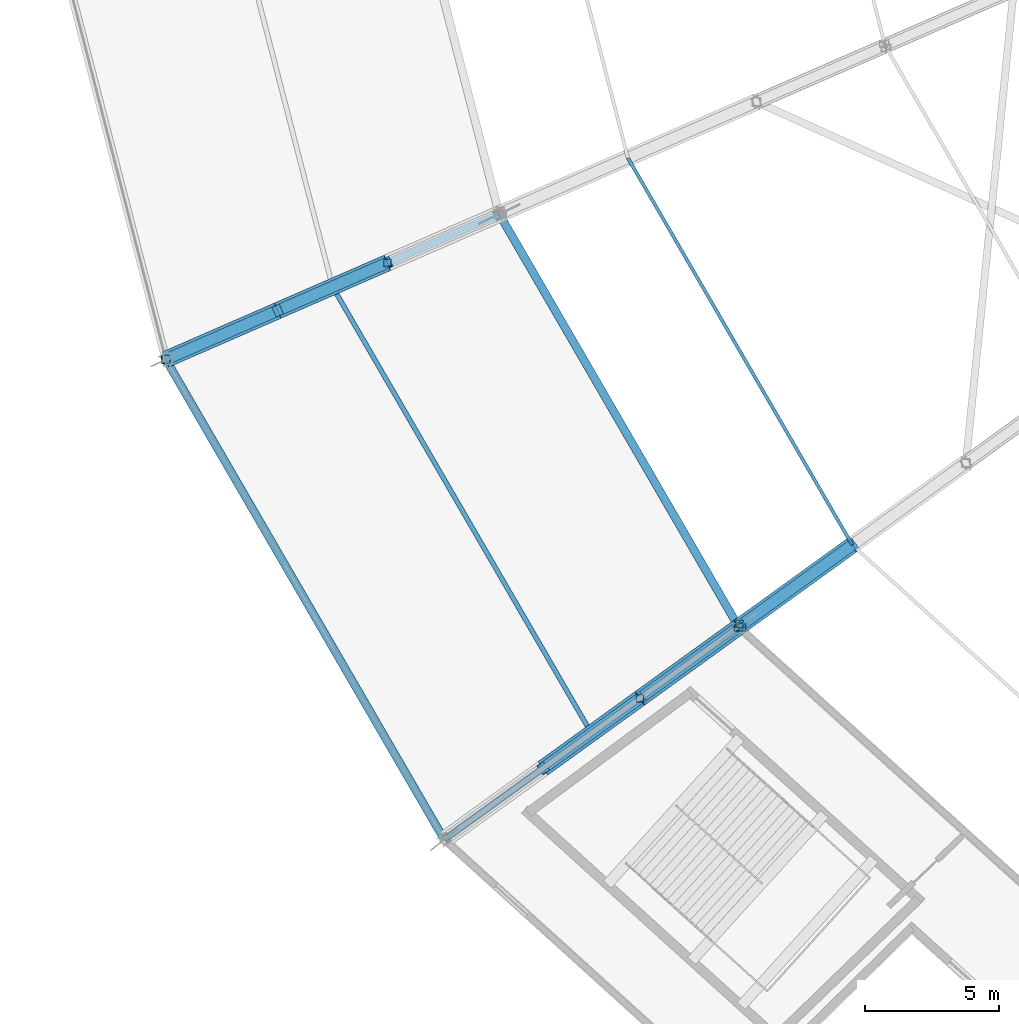
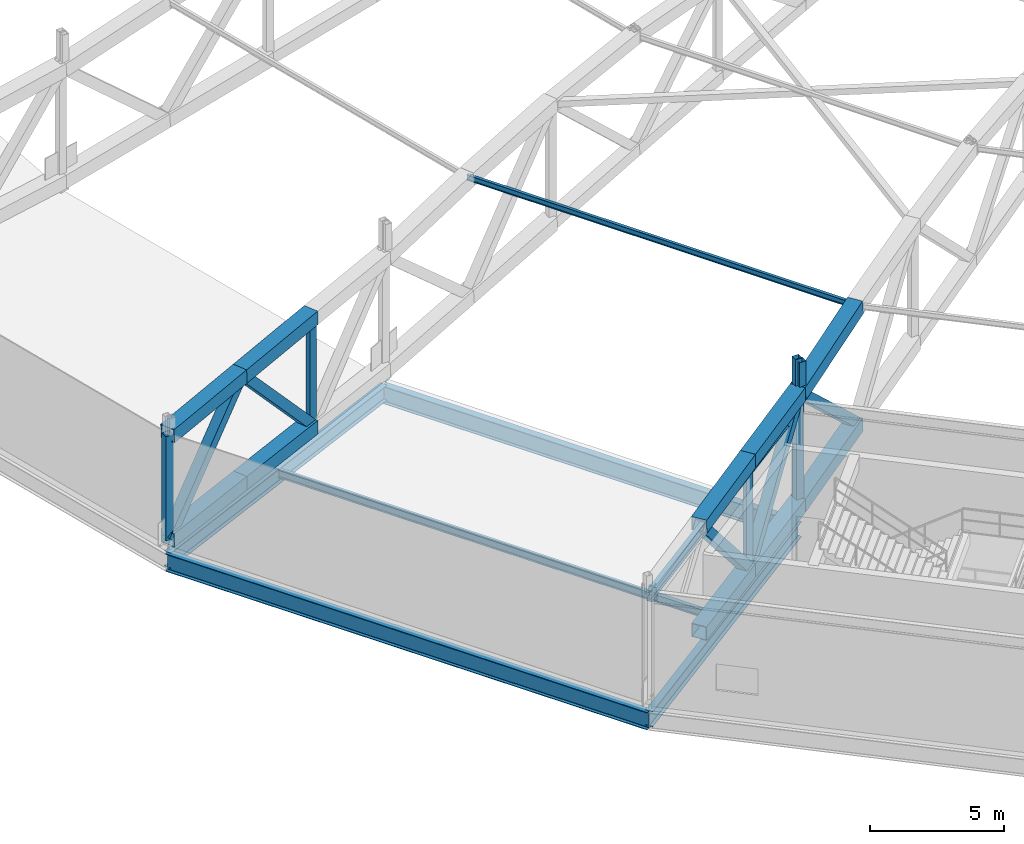
# One storey, part 19 of 162: 22 members, 6 beams.
"""IFC4 building model written with IfcOpenShell, lengths in metres."""

from ifc_helpers import new_model, si_unit, direction, frame, origin, origin_2d, place, context, subcontext, project, spatial, hollow_rectangle, i_section, extrude, material, material_profile, profile_set, type_object, element, save


model = new_model("IFC4")

# Units and contexts
model_context = context("Model", 3, precision=1e-05, world=origin(), true_north=direction((0.0, 1.0)))
body_context = subcontext(model_context, "Body", "Model", "MODEL_VIEW")
ifc_project = project(units=[si_unit("LENGTHUNIT", "METRE"), si_unit("AREAUNIT", "SQUARE_METRE"), si_unit("VOLUMEUNIT", "CUBIC_METRE"), si_unit("PLANEANGLEUNIT", "RADIAN"), si_unit("MASSUNIT", "GRAM", prefix="KILO")], contexts=[model_context])

# Site, building, storey
site_placement = place(None, origin())
site = spatial("IfcSite", under=ifc_project, at=site_placement, CompositionType="ELEMENT")
building_placement = place(site_placement, origin())
building = spatial("IfcBuilding", under=site, at=building_placement, Name="Kazemori Nagisa Stadium", CompositionType="ELEMENT")
storey_placement = place(building_placement, frame((0.0, 0.0, 36.719970703125)))
storey = spatial("IfcBuildingStorey", under=building, at=storey_placement, Name="RF", CompositionType="ELEMENT", Elevation=36.719970703125)

# Beams
ifc_material_1 = material(Name="Steel SN490B", Category="steel")
ifc_material_profile_1 = material_profile(ifc_material_1, i_section(OverallWidth=0.199951171875, OverallDepth=0.5, WebThickness=0.010009765625, FlangeThickness=0.01611328125, FilletRadius=0.012939453125, at=origin_2d()), Name="H-500x200x10x16")
ifc_profile_set_1 = profile_set([ifc_material_profile_1], Name="Steel SN490B")
beam_type_1 = type_object("IfcBeamType", Name="Beam_BG-H500", PredefinedType="BEAM", material=ifc_profile_set_1)
beam_1_placement = place(storey_placement, frame((55.493896484375, 53.265869140625, 4.93994140625), z_axis=(-0.810787509935, -0.585340596349, 0.0), x_axis=(0.585340596349, -0.810787509935, 0.0)))
element("IfcBeam", 1, at=beam_1_placement, inside=storey, type_object=beam_type_1, Name="Headhouse roof beam BG-H500 B18-radL", PredefinedType="BEAM", context=body_context, shape_type="SweptSolid", body=[
    extrude(i_section(OverallWidth=0.199951171875, OverallDepth=0.5, WebThickness=0.010009765625, FlangeThickness=0.01611328125, FilletRadius=0.012939453125, at=origin_2d()), origin(), (0.0, 0.0, 1.0), 13.5537109375),
])
ifc_material_profile_2 = material_profile(ifc_material_1, i_section(OverallWidth=0.300048828125, OverallDepth=0.699951171875, WebThickness=0.012939453125, FlangeThickness=0.02392578125, FilletRadius=0.01806640625, at=origin_2d()), Name="H-700x300x13x24")
ifc_profile_set_2 = profile_set([ifc_material_profile_2], Name="Steel SN490B")
beam_type_2 = type_object("IfcBeamType", Name="Beam_BG-H700", PredefinedType="BEAM", material=ifc_profile_set_2)
beam_2_placement = place(storey_placement, frame((46.55908203125, 68.67529296875, -0.6298828125), z_axis=(-0.916683633521, -0.399613708517, 0.0), x_axis=(0.399613708517, -0.916683633521, 0.0)))
element("IfcBeam", 2, at=beam_2_placement, inside=storey, type_object=beam_type_2, Name="Radial girder BG-H700 RF R2-R3-17", PredefinedType="BEAM", context=body_context, shape_type="SweptSolid", body=[
    extrude(i_section(OverallWidth=0.300048828125, OverallDepth=0.699951171875, WebThickness=0.012939453125, FlangeThickness=0.02392578125, FilletRadius=0.01806640625, at=origin_2d()), origin(), (0.0, 0.0, 1.0), 13.5751953125),
])
beam_3_placement = place(storey_placement, frame((55.493896484375, 53.265869140625, -0.6298828125), z_axis=(-0.810787509935, -0.585340596349, 0.0), x_axis=(0.585340596349, -0.810787509935, 0.0)))
element("IfcBeam", 3, at=beam_3_placement, inside=storey, type_object=beam_type_2, Name="Radial girder BG-H700 RF R2-R3-18", PredefinedType="BEAM", context=body_context, shape_type="SweptSolid", body=[
    extrude(i_section(OverallWidth=0.300048828125, OverallDepth=0.699951171875, WebThickness=0.012939453125, FlangeThickness=0.02392578125, FilletRadius=0.01806640625, at=origin_2d()), origin(), (0.0, 0.0, 1.0), 13.5537109375),
])
ifc_material_profile_3 = material_profile(ifc_material_1, i_section(OverallWidth=0.300048828125, OverallDepth=0.800048828125, WebThickness=0.013916015625, FlangeThickness=0.02587890625, FilletRadius=0.01806640625, at=origin_2d()), Name="H-800x300x14x26")
ifc_profile_set_3 = profile_set([ifc_material_profile_3], Name="Steel SN490B")
beam_type_3 = type_object("IfcBeamType", Name="Beam_BG-H800", PredefinedType="BEAM", material=ifc_profile_set_3)
beam_4_placement = place(storey_placement, frame((46.55908203125, 68.67529296875, -0.679931640625), z_axis=(0.501606704589, -0.865095783085, 0.0), x_axis=(0.865095783085, 0.501606704589, 0.0)))
element("IfcBeam", 4, at=beam_4_placement, inside=storey, type_object=beam_type_3, Name="Ring girder BG-H800 RF R2-17", PredefinedType="BEAM", context=body_context, shape_type="SweptSolid", body=[
    extrude(i_section(OverallWidth=0.300048828125, OverallDepth=0.800048828125, WebThickness=0.013916015625, FlangeThickness=0.02587890625, FilletRadius=0.01806640625, at=origin_2d()), origin(), (0.0, 0.0, 1.0), 17.8125),
])
beam_5_placement = place(storey_placement, frame((34.114990234375, 63.25048828125, -0.679931640625), z_axis=(0.50161277459, -0.8650922635, 0.0), x_axis=(0.8650922635, 0.50161277459, 0.0)))
element("IfcBeam", 5, at=beam_5_placement, inside=storey, type_object=beam_type_3, Name="Roof compression ring beam BG-H800 R3-17", PredefinedType="BEAM", context=body_context, shape_type="SweptSolid", body=[
    extrude(i_section(OverallWidth=0.300048828125, OverallDepth=0.800048828125, WebThickness=0.013916015625, FlangeThickness=0.02587890625, FilletRadius=0.01806640625, at=origin_2d()), origin(), (0.0, 0.0, 1.0), 20.71240234375),
])
ifc_material_profile_4 = material_profile(ifc_material_1, i_section(OverallWidth=0.175048828125, OverallDepth=0.35009765625, WebThickness=0.007080078125, FlangeThickness=0.010986328125, FilletRadius=0.012939453125, at=origin_2d()), Name="H-350x175x7x11")
ifc_profile_set_4 = profile_set([ifc_material_profile_4], Name="Steel SN490B")
beam_type_4 = type_object("IfcBeamType", Name="Beam_BJ-H350", PredefinedType="JOIST", material=ifc_profile_set_4)
beam_6_placement = place(storey_placement, frame((40.40966796875, 65.83740234375, -0.455078125), z_axis=(0.501615441037, -0.86509071739, 0.0), x_axis=(0.86509071739, 0.501615441037, 0.0)))
element("IfcBeam", 6, at=beam_6_placement, inside=storey, type_object=beam_type_4, Name="Outer bay joist BJ-H350 RF B17", PredefinedType="JOIST", context=body_context, shape_type="SweptSolid", body=[
    extrude(i_section(OverallWidth=0.175048828125, OverallDepth=0.35009765625, WebThickness=0.007080078125, FlangeThickness=0.010986328125, FilletRadius=0.012939453125, at=origin_2d()), origin(), (0.0, 0.0, 1.0), 18.972412109375),
])

# Members
ifc_material_2 = material(Name="Steel STKR490", Category="steel")
ifc_material_profile_5 = material_profile(ifc_material_2, hollow_rectangle(XDim=0.280029296875, YDim=0.280029296875, WallThickness=0.010009765625, at=origin_2d()), Name="SHS-280x280x10")
ifc_profile_set_5 = profile_set([ifc_material_profile_5], Name="Steel STKR490")
member_type_1 = type_object("IfcMemberType", Name="Member_ST-SHS280", PredefinedType="STUD", material=ifc_profile_set_5)
member_1_placement = place(storey_placement, frame((55.517578125, 53.383544921875, 5.56005859375), z_axis=(0.0, 0.0, 1.0), x_axis=(1.0, 0.0, 0.0)))
element("IfcMember", 7, at=member_1_placement, inside=storey, type_object=member_type_1, Name="Canopy bearing stool B17-mid-2", PredefinedType="STUD", context=body_context, shape_type="SweptSolid", body=[
    extrude(hollow_rectangle(XDim=0.280029296875, YDim=0.280029296875, WallThickness=0.010009765625, at=origin_2d()), origin(), (0.0, 0.0, 1.0), 1.512939453125),
])
member_2_placement = place(storey_placement, frame((55.613525390625, 53.256103515625, 5.56005859375), z_axis=(0.0, 0.0, 1.0), x_axis=(1.0, 0.0, 0.0)))
element("IfcMember", 8, at=member_2_placement, inside=storey, type_object=member_type_1, Name="Canopy bearing stool B18-mid-1", PredefinedType="STUD", context=body_context, shape_type="SweptSolid", body=[
    extrude(hollow_rectangle(XDim=0.280029296875, YDim=0.280029296875, WallThickness=0.010009765625, at=origin_2d()), origin(), (0.0, 0.0, 1.0), 1.427001953125),
])
ifc_material_profile_6 = material_profile(ifc_material_2, hollow_rectangle(XDim=0.419921875, YDim=0.419921875, WallThickness=0.01611328125, at=origin_2d()), Name="SHS-420x420x16")
ifc_profile_set_6 = profile_set([ifc_material_profile_6], Name="Steel STKR490")
member_type_2 = type_object("IfcMemberType", Name="Member_TB-SHS420", PredefinedType="BRACE", material=ifc_profile_set_6)
member_3_placement = place(storey_placement, frame((34.114990234375, 63.25048828125, 0.360107421875), z_axis=(0.624310604924, 0.272169069234, 0.732229654092), x_axis=(-0.399626973306, 0.916677850832, 0.0)))
element("IfcMember", 9, at=member_3_placement, inside=storey, type_object=member_type_2, Name="Roof space truss diagonal RT-17-1", PredefinedType="BRACE", context=body_context, shape_type="SweptSolid", body=[
    extrude(hollow_rectangle(XDim=0.419921875, YDim=0.419921875, WallThickness=0.01611328125, at=origin_2d()), origin(), (0.0, 0.0, 1.0), 6.691650390625),
])
member_4_placement = place(storey_placement, frame((38.292724609375, 65.07177734375, 5.260009765625), z_axis=(0.622589724178, 0.271423393815, -0.733969601985), x_axis=(-0.399632596361, 0.916675399433, 0.0)))
element("IfcMember", 10, at=member_4_placement, inside=storey, type_object=member_type_2, Name="Roof space truss diagonal RT-17-2", PredefinedType="BRACE", context=body_context, shape_type="SweptSolid", body=[
    extrude(hollow_rectangle(XDim=0.419921875, YDim=0.419921875, WallThickness=0.01611328125, at=origin_2d()), origin(), (0.0, 0.0, 1.0), 6.567138671875),
])
member_5_placement = place(storey_placement, frame((48.19384765625, 47.995849609375, 5.260009765625), z_axis=(0.550225469155, 0.397211449234, -0.734489617142), x_axis=(-0.585322409097, 0.810800639744, 0.0)))
element("IfcMember", 11, at=member_5_placement, inside=storey, type_object=member_type_2, Name="Roof space truss diagonal RT-18-2", PredefinedType="BRACE", context=body_context, shape_type="SweptSolid", body=[
    extrude(hollow_rectangle(XDim=0.419921875, YDim=0.419921875, WallThickness=0.01611328125, at=origin_2d()), origin(), (0.0, 0.0, 1.0), 6.5625),
])
member_6_placement = place(storey_placement, frame((51.8046875, 50.6025390625, 0.43994140625), z_axis=(0.538589651262, 0.388821024791, 0.747488727831), x_axis=(-0.585331860569, 0.810793816579, 0.0)))
element("IfcMember", 12, at=member_6_placement, inside=storey, type_object=member_type_2, Name="Roof space truss diagonal RT-18-3", PredefinedType="BRACE", context=body_context, shape_type="SweptSolid", body=[
    extrude(hollow_rectangle(XDim=0.419921875, YDim=0.419921875, WallThickness=0.01611328125, at=origin_2d()), origin(), (0.0, 0.0, 1.0), 6.849853515625),
])
member_7_placement = place(storey_placement, frame((55.493896484375, 53.265869140625, 5.56005859375), z_axis=(0.601696897142, 0.434377888998, -0.670281055617), x_axis=(-0.585330267791, 0.810794966442, 0.0)))
element("IfcMember", 13, at=member_7_placement, inside=storey, type_object=member_type_2, Name="Roof space truss diagonal RT-18-4", PredefinedType="BRACE", context=body_context, shape_type="SweptSolid", body=[
    extrude(hollow_rectangle(XDim=0.419921875, YDim=0.419921875, WallThickness=0.01611328125, at=origin_2d()), origin(), (0.0, 0.0, 1.0), 7.044677734375),
])
ifc_material_profile_7 = material_profile(ifc_material_2, hollow_rectangle(XDim=0.6201171875, YDim=0.6201171875, WallThickness=0.02197265625, at=origin_2d()), Name="SHS-620x620x22")
ifc_profile_set_7 = profile_set([ifc_material_profile_7], Name="Steel STKR490")
member_type_3 = type_object("IfcMemberType", Name="Member_TC-SHS620", PredefinedType="CHORD", material=ifc_profile_set_7)
member_8_placement = place(storey_placement, frame((34.114990234375, 63.25048828125, 5.10009765625), z_axis=(0.916114082748, 0.399381197832, 0.035066311606), x_axis=(-0.399626973306, 0.916677850832, 0.0)))
element("IfcMember", 14, at=member_8_placement, inside=storey, type_object=member_type_3, Name="Roof space truss top chord RT-17-1", PredefinedType="CHORD", context=body_context, shape_type="SweptSolid", body=[
    extrude(hollow_rectangle(XDim=0.6201171875, YDim=0.6201171875, WallThickness=0.02197265625, at=origin_2d()), origin(), (0.0, 0.0, 1.0), 4.560302734375),
])
member_9_placement = place(storey_placement, frame((34.114990234375, 63.25048828125, 0.360107421875), z_axis=(0.916642477072, 0.399611552066, 0.008785026078), x_axis=(-0.399626973306, 0.916677850832, 0.0)))
element("IfcMember", 15, at=member_9_placement, inside=storey, type_object=member_type_3, Name="Roof space truss bottom chord RT-17-1", PredefinedType="CHORD", context=body_context, shape_type="SweptSolid", body=[
    extrude(hollow_rectangle(XDim=0.6201171875, YDim=0.6201171875, WallThickness=0.02197265625, at=origin_2d()), origin(), (0.0, 0.0, 1.0), 4.5576171875),
])
member_10_placement = place(storey_placement, frame((38.292724609375, 65.07177734375, 5.260009765625), z_axis=(0.916086817595, 0.399375999001, 0.035829513676), x_axis=(-0.399632596361, 0.916675399433, 0.0)))
element("IfcMember", 16, at=member_10_placement, inside=storey, type_object=member_type_3, Name="Roof space truss top chord RT-17-2", PredefinedType="CHORD", context=body_context, shape_type="SweptSolid", body=[
    extrude(hollow_rectangle(XDim=0.6201171875, YDim=0.6201171875, WallThickness=0.02197265625, at=origin_2d()), origin(), (0.0, 0.0, 1.0), 4.463134765625),
])
member_11_placement = place(storey_placement, frame((38.292724609375, 65.07177734375, 0.400146484375), z_axis=(0.916638916313, 0.399616691228, 0.008921725883), x_axis=(-0.399632596361, 0.916675399433, 0.0)))
element("IfcMember", 17, at=member_11_placement, inside=storey, type_object=member_type_3, Name="Roof space truss bottom chord RT-17-2", PredefinedType="CHORD", context=body_context, shape_type="SweptSolid", body=[
    extrude(hollow_rectangle(XDim=0.6201171875, YDim=0.6201171875, WallThickness=0.02197265625, at=origin_2d()), origin(), (0.0, 0.0, 1.0), 4.46044921875),
])
member_12_placement = place(storey_placement, frame((48.19384765625, 47.995849609375, 5.260009765625), z_axis=(0.810278437443, 0.584945427761, 0.035884542023), x_axis=(-0.585322409097, 0.810800639744, 0.0)))
element("IfcMember", 18, at=member_12_placement, inside=storey, type_object=member_type_3, Name="Roof space truss top chord RT-18-2", PredefinedType="CHORD", context=body_context, shape_type="SweptSolid", body=[
    extrude(hollow_rectangle(XDim=0.6201171875, YDim=0.6201171875, WallThickness=0.02197265625, at=origin_2d()), origin(), (0.0, 0.0, 1.0), 4.456298828125),
])
member_13_placement = place(storey_placement, frame((48.19384765625, 47.995849609375, 0.400146484375), z_axis=(0.810768271055, 0.585299041924, 0.008935444772), x_axis=(-0.585322409097, 0.810800639744, 0.0)))
element("IfcMember", 19, at=member_13_placement, inside=storey, type_object=member_type_3, Name="Roof space truss bottom chord RT-18-2", PredefinedType="CHORD", context=body_context, shape_type="SweptSolid", body=[
    extrude(hollow_rectangle(XDim=0.6201171875, YDim=0.6201171875, WallThickness=0.02197265625, at=origin_2d()), origin(), (0.0, 0.0, 1.0), 4.45361328125),
])
member_14_placement = place(storey_placement, frame((51.8046875, 50.6025390625, 5.419921875), z_axis=(0.810409552459, 0.585054450915, 0.030783871558), x_axis=(-0.585331860569, 0.810793816579, 0.0)))
element("IfcMember", 20, at=member_14_placement, inside=storey, type_object=member_type_3, Name="Roof space truss top chord RT-18-3", PredefinedType="CHORD", context=body_context, shape_type="SweptSolid", body=[
    extrude(hollow_rectangle(XDim=0.6201171875, YDim=0.6201171875, WallThickness=0.02197265625, at=origin_2d()), origin(), (0.0, 0.0, 1.0), 4.55224609375),
])
member_15_placement = place(storey_placement, frame((51.8046875, 50.6025390625, 0.43994140625), z_axis=(0.810762427588, 0.58530920009, 0.008799221635), x_axis=(-0.585331860569, 0.810793816579, 0.0)))
element("IfcMember", 21, at=member_15_placement, inside=storey, type_object=member_type_3, Name="Roof space truss bottom chord RT-18-3", PredefinedType="CHORD", context=body_context, shape_type="SweptSolid", body=[
    extrude(hollow_rectangle(XDim=0.6201171875, YDim=0.6201171875, WallThickness=0.02197265625, at=origin_2d()), origin(), (0.0, 0.0, 1.0), 4.55029296875),
])
member_16_placement = place(storey_placement, frame((55.493896484375, 53.265869140625, 5.56005859375), z_axis=(0.805420059721, 0.581450007404, 0.114953974657), x_axis=(-0.585330267791, 0.810794966442, 0.0)))
element("IfcMember", 22, at=member_16_placement, inside=storey, type_object=member_type_3, Name="Roof space truss top chord RT-18-4", PredefinedType="CHORD", context=body_context, shape_type="SweptSolid", body=[
    extrude(hollow_rectangle(XDim=0.6201171875, YDim=0.6201171875, WallThickness=0.02197265625, at=origin_2d()), origin(), (0.0, 0.0, 1.0), 5.2626953125),
])
member_17_placement = place(storey_placement, frame((55.493896484375, 53.265869140625, 0.47998046875), z_axis=(0.808898966076, 0.583961504481, 0.068347816106), x_axis=(-0.585330267791, 0.810794966442, 0.0)))
element("IfcMember", 23, at=member_17_placement, inside=storey, type_object=member_type_3, Name="Roof space truss bottom chord RT-18-4", PredefinedType="CHORD", context=body_context, shape_type="SweptSolid", body=[
    extrude(hollow_rectangle(XDim=0.6201171875, YDim=0.6201171875, WallThickness=0.02197265625, at=origin_2d()), origin(), (0.0, 0.0, 1.0), 5.240234375),
])
ifc_material_profile_8 = material_profile(ifc_material_1, i_section(OverallWidth=0.125, OverallDepth=0.25, WebThickness=0.006103515625, FlangeThickness=0.009033203125, FilletRadius=0.008056640625, at=origin_2d()), Name="H-250x125x6x9")
ifc_profile_set_8 = profile_set([ifc_material_profile_8], Name="Steel SN490B")
member_type_4 = type_object("IfcMemberType", Name="Member_TP-H250", PredefinedType="PURLIN", material=ifc_profile_set_8)
member_18_placement = place(storey_placement, frame((51.358642578125, 70.767822265625, 6.199951171875), z_axis=(0.501614999574, -0.86508844562, -0.002091281194), x_axis=(0.86509033734, 0.501616096473, 0.0)))
element("IfcMember", 24, at=member_18_placement, inside=storey, type_object=member_type_4, Name="Roof purlin TP-H250 B17-P4", PredefinedType="PURLIN", context=body_context, shape_type="SweptSolid", body=[
    extrude(i_section(OverallWidth=0.125, OverallDepth=0.25, WebThickness=0.006103515625, FlangeThickness=0.009033203125, FilletRadius=0.008056640625, at=origin_2d()), origin(), (0.0, 0.0, 1.0), 16.694091796875),
])
ifc_material_profile_9 = material_profile(ifc_material_2, hollow_rectangle(XDim=0.280029296875, YDim=0.280029296875, WallThickness=0.010009765625, at=origin_2d()), Name="SHS-280x280x10")
ifc_profile_set_9 = profile_set([ifc_material_profile_9], Name="Steel STKR490")
member_type_5 = type_object("IfcMemberType", Name="Member_TS-SHS280", PredefinedType="STRUT", material=ifc_profile_set_9)
for number, where, z_axis, x_axis, name in (
    (25, (42.38134765625, 66.854248046875, 0.43994140625), (0.0, 0.0, 1.0), (1.0, 0.0, 0.0), "Roof space truss strut RT-17-3"),
    (26, (51.8046875, 50.6025390625, 0.43994140625), (0.0, 0.0, 1.0), (1.0, 0.0, 0.0), "Roof space truss strut RT-18-3"),
):
    element("IfcMember", number, at=place(storey_placement, frame(where, z_axis=z_axis, x_axis=x_axis)), inside=storey, type_object=member_type_5, Name=name, PredefinedType="STRUT", context=body_context, shape_type="SweptSolid", body=[
        extrude(hollow_rectangle(XDim=0.280029296875, YDim=0.280029296875, WallThickness=0.010009765625, at=origin_2d()), origin(), (0.0, 0.0, 1.0), 4.97998046875),
    ])
ifc_material_profile_10 = material_profile(ifc_material_2, hollow_rectangle(XDim=0.320068359375, YDim=0.320068359375, WallThickness=0.011962890625, at=origin_2d()), Name="SHS-320x320x12")
ifc_profile_set_10 = profile_set([ifc_material_profile_10], Name="Steel STKR490")
member_type_6 = type_object("IfcMemberType", Name="Member_TS-SHS320", PredefinedType="STRUT", material=ifc_profile_set_10)
member_19_placement = place(storey_placement, frame((34.114990234375, 63.25048828125, 0.360107421875), z_axis=(0.0, 0.0, 1.0), x_axis=(1.0, 0.0, 0.0)))
element("IfcMember", 27, at=member_19_placement, inside=storey, type_object=member_type_6, Name="Roof space truss strut RT-17-1", PredefinedType="STRUT", context=body_context, shape_type="SweptSolid", body=[
    extrude(hollow_rectangle(XDim=0.320068359375, YDim=0.320068359375, WallThickness=0.011962890625, at=origin_2d()), origin(), (0.0, 0.0, 1.0), 4.739990234375),
])
member_20_placement = place(storey_placement, frame((55.493896484375, 53.265869140625, 0.47998046875), z_axis=(0.0, 0.0, 1.0), x_axis=(1.0, 0.0, 0.0)))
element("IfcMember", 28, at=member_20_placement, inside=storey, type_object=member_type_6, Name="Roof space truss strut RT-18-4", PredefinedType="STRUT", context=body_context, shape_type="SweptSolid", body=[
    extrude(hollow_rectangle(XDim=0.320068359375, YDim=0.320068359375, WallThickness=0.011962890625, at=origin_2d()), origin(), (0.0, 0.0, 1.0), 5.080078125),
])

save(model, "model.ifc")
